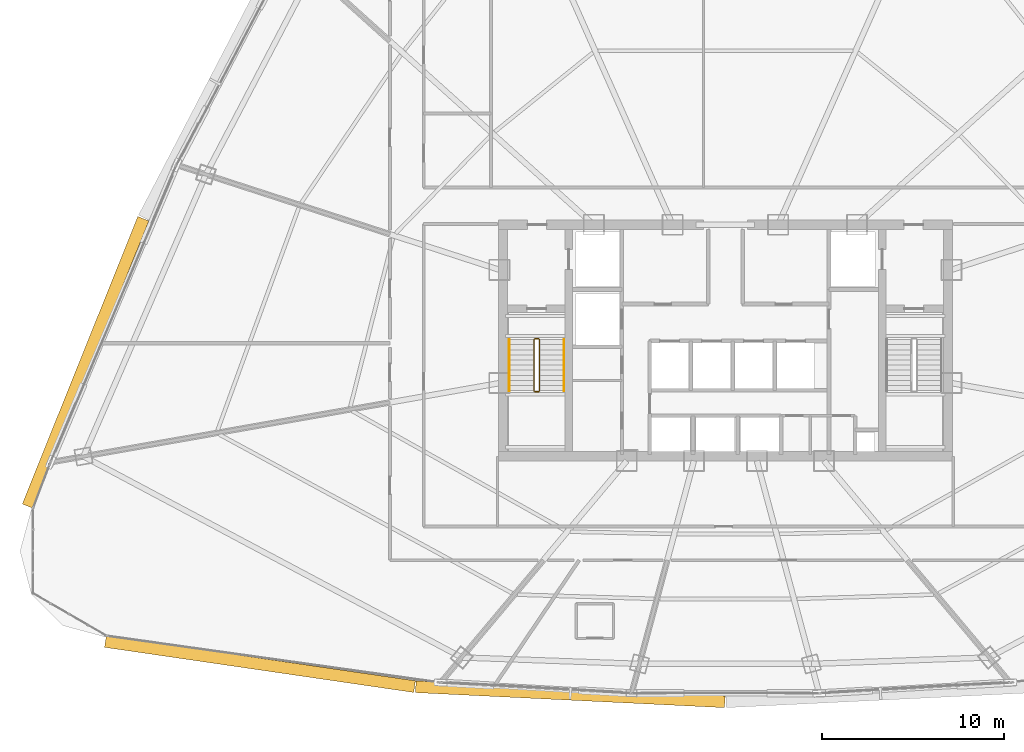
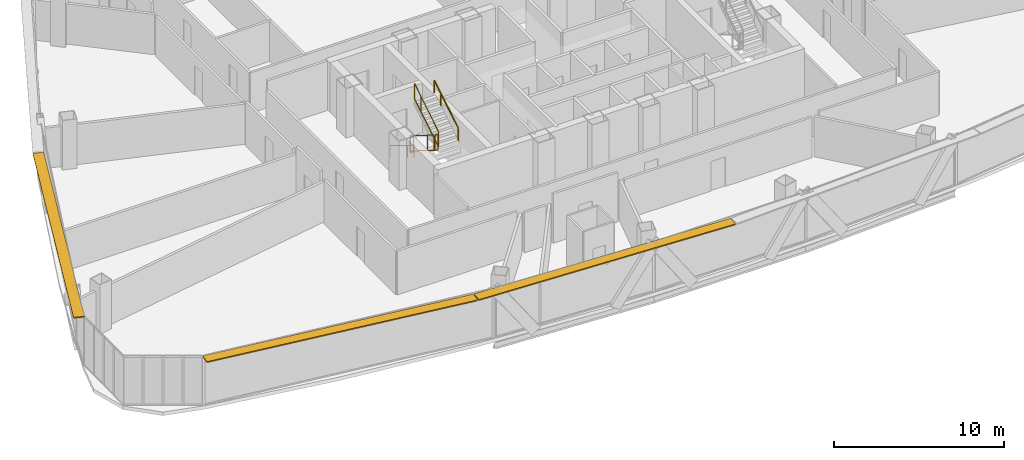
# One storey, part 35 of 38: 6 railings, 3 shading devices.
"""IFC4 building model written with IfcOpenShell, lengths in metres."""

from ifc_helpers import new_model, si_unit, direction, frame, origin, origin_2d, place, context, subcontext, project, spatial, rectangle, extrude, source, transform, mapped, material, layer, layer_set, type_object, element, save


model = new_model("IFC4")

# Units and contexts
model_context = context("Model", 3, precision=1e-05, world=origin(), true_north=direction((0.0, 1.0)))
body_context = subcontext(model_context, "Body", "Model", "MODEL_VIEW")
ifc_project = project(units=[si_unit("LENGTHUNIT", "METRE"), si_unit("AREAUNIT", "SQUARE_METRE"), si_unit("VOLUMEUNIT", "CUBIC_METRE"), si_unit("PLANEANGLEUNIT", "RADIAN"), si_unit("MASSUNIT", "GRAM", prefix="KILO"), si_unit("THERMODYNAMICTEMPERATUREUNIT", "KELVIN"), si_unit("POWERUNIT", "WATT")], contexts=[model_context])

# Site, building, storey
site_placement = place(None, origin())
site = spatial("IfcSite", under=ifc_project, at=site_placement, CompositionType="ELEMENT")
building_placement = place(site_placement, origin())
building = spatial("IfcBuilding", under=site, at=building_placement, Name="Yunzhuo Pagoda Commons", CompositionType="ELEMENT")
storey_placement = place(building_placement, frame((0.0, 0.0, 203.760009765625)))
storey = spatial("IfcBuildingStorey", under=building, at=storey_placement, Name="L51", CompositionType="ELEMENT", Elevation=203.760009765625)

# Railings
ifc_material = material(Name="Anodized aluminium 6063-T6", Category="aluminium")
railing_type_1 = type_object("IfcRailingType", Name="GR-ST1 Stair Well Guardrail 1150", PredefinedType="GUARDRAIL", material=ifc_material)
railing_1_placement = place(storey_placement, frame((37.5, 33.89990234375, 0.172607421875)))
element("IfcRailing", 1, at=railing_1_placement, inside=storey, type_object=railing_type_1, Name="L51 ST1 stair guard 1", PredefinedType="GUARDRAIL", context=body_context, shape_type="SweptSolid", body=[
    extrude(rectangle(XDim=0.048095703125, YDim=0.048095703125, at=origin_2d()), frame((0.0, 0.0, 1.1259765625), z_axis=(0.0, -0.851069175582, 0.525053576669), x_axis=(1.0, 0.0, 0.0)), (0.0, 0.0, 1.0), 3.289794921875),
    extrude(rectangle(XDim=0.048095703125, YDim=0.048095703125, at=origin_2d()), frame((0.0, 0.0, 0.02392578125), z_axis=(0.0, -0.851069175582, 0.525053576669), x_axis=(1.0, 0.0, 0.0)), (0.0, 0.0, 1.0), 3.289794921875),
    extrude(rectangle(XDim=0.0419921875, YDim=0.0419921875, at=origin_2d()), origin(), (0.0, 0.0, 1.0), 1.101806640625),
    extrude(rectangle(XDim=0.0419921875, YDim=0.0419921875, at=origin_2d()), frame((0.0, -2.04248046875, 1.260009765625)), (0.0, 0.0, 1.0), 1.101806640625),
    extrude(rectangle(XDim=0.0419921875, YDim=0.0419921875, at=origin_2d()), frame((0.0, -2.7998046875, 1.727294921875)), (0.0, 0.0, 1.0), 1.101806640625),
])
railing_2_placement = place(storey_placement, frame((37.550048828125, 31.050048828125, 1.89990234375)))
element("IfcRailing", 2, at=railing_2_placement, inside=storey, type_object=railing_type_1, Name="L51 ST1 stair guard 2", PredefinedType="GUARDRAIL", context=body_context, shape_type="SweptSolid", body=[
    extrude(rectangle(XDim=0.048095703125, YDim=0.048095703125, at=origin_2d()), frame((0.0, 0.0, 1.1259765625), z_axis=(1.0, 0.0, 0.0), x_axis=(0.0, 1.0, 0.0)), (0.0, 0.0, 1.0), 0.199951171875),
    extrude(rectangle(XDim=0.048095703125, YDim=0.048095703125, at=origin_2d()), frame((0.0, 0.0, 0.02392578125), z_axis=(1.0, 0.0, 0.0), x_axis=(0.0, 1.0, 0.0)), (0.0, 0.0, 1.0), 0.199951171875),
    extrude(rectangle(XDim=0.0419921875, YDim=0.0419921875, at=origin_2d()), origin(), (0.0, 0.0, 1.0), 1.101806640625),
    extrude(rectangle(XDim=0.0419921875, YDim=0.0419921875, at=origin_2d()), frame((0.199951171875, 0.0, 0.0)), (0.0, 0.0, 1.0), 1.101806640625),
])
railing_3_placement = place(storey_placement, frame((37.800048828125, 31.10009765625, 2.07275390625)))
element("IfcRailing", 3, at=railing_3_placement, inside=storey, type_object=railing_type_1, Name="L51 ST1 stair guard 3", PredefinedType="GUARDRAIL", context=body_context, shape_type="SweptSolid", body=[
    extrude(rectangle(XDim=0.048095703125, YDim=0.048095703125, at=origin_2d()), frame((0.0, 0.0, 1.1259765625), z_axis=(0.0, 0.851069175582, 0.525053576669), x_axis=(-1.0, 0.0, 0.0)), (0.0, 0.0, 1.0), 3.289794921875),
    extrude(rectangle(XDim=0.048095703125, YDim=0.048095703125, at=origin_2d()), frame((0.0, 0.0, 0.02392578125), z_axis=(0.0, 0.851069175582, 0.525053576669), x_axis=(-1.0, 0.0, 0.0)), (0.0, 0.0, 1.0), 3.289794921875),
    extrude(rectangle(XDim=0.0419921875, YDim=0.0419921875, at=origin_2d()), origin(), (0.0, 0.0, 1.0), 1.101806640625),
    extrude(rectangle(XDim=0.0419921875, YDim=0.0419921875, at=origin_2d()), frame((0.0, 2.04248046875, 1.260009765625)), (0.0, 0.0, 1.0), 1.101806640625),
    extrude(rectangle(XDim=0.0419921875, YDim=0.0419921875, at=origin_2d()), frame((0.0, 2.7998046875, 1.727294921875)), (0.0, 0.0, 1.0), 1.101806640625),
])
railing_4_placement = place(storey_placement, frame((37.550048828125, 33.949951171875, 0.0)))
element("IfcRailing", 4, at=railing_4_placement, inside=storey, type_object=railing_type_1, Name="L51 ST1 stair guard 4", PredefinedType="GUARDRAIL", context=body_context, shape_type="SweptSolid", body=[
    extrude(rectangle(XDim=0.048095703125, YDim=0.048095703125, at=origin_2d()), frame((0.0, 0.0, 1.1259765625), z_axis=(1.0, 0.0, 0.0), x_axis=(0.0, 1.0, 0.0)), (0.0, 0.0, 1.0), 0.199951171875),
    extrude(rectangle(XDim=0.048095703125, YDim=0.048095703125, at=origin_2d()), frame((0.0, 0.0, 0.02392578125), z_axis=(1.0, 0.0, 0.0), x_axis=(0.0, 1.0, 0.0)), (0.0, 0.0, 1.0), 0.199951171875),
    extrude(rectangle(XDim=0.0419921875, YDim=0.0419921875, at=origin_2d()), origin(), (0.0, 0.0, 1.0), 1.101806640625),
    extrude(rectangle(XDim=0.0419921875, YDim=0.0419921875, at=origin_2d()), frame((0.199951171875, 0.0, 0.0)), (0.0, 0.0, 1.0), 1.101806640625),
])
railing_type_2 = type_object("IfcRailingType", Name="HR-ST1 Stair Handrail 900", PredefinedType="HANDRAIL", material=ifc_material)
railing_5_placement = place(storey_placement, frame((36.14990234375, 33.89990234375, 0.172607421875)))
element("IfcRailing", 5, at=railing_5_placement, inside=storey, type_object=railing_type_2, Name="L51 ST1 stair handrail 1", PredefinedType="HANDRAIL", context=body_context, shape_type="SweptSolid", body=[
    extrude(rectangle(XDim=0.048095703125, YDim=0.048095703125, at=origin_2d()), frame((0.0, 0.0, 0.8759765625), z_axis=(0.0, -0.851069175582, 0.525053576669), x_axis=(1.0, 0.0, 0.0)), (0.0, 0.0, 1.0), 3.289794921875),
    extrude(rectangle(XDim=0.0419921875, YDim=0.0419921875, at=origin_2d()), origin(), (0.0, 0.0, 1.0), 0.851806640625),
    extrude(rectangle(XDim=0.0419921875, YDim=0.0419921875, at=origin_2d()), frame((0.0, -2.04248046875, 1.260009765625)), (0.0, 0.0, 1.0), 0.851806640625),
    extrude(rectangle(XDim=0.0419921875, YDim=0.0419921875, at=origin_2d()), frame((0.0, -2.7998046875, 1.727294921875)), (0.0, 0.0, 1.0), 0.851806640625),
])
railing_6_placement = place(storey_placement, frame((39.14990234375, 31.10009765625, 2.07275390625)))
element("IfcRailing", 6, at=railing_6_placement, inside=storey, type_object=railing_type_2, Name="L51 ST1 stair handrail 2", PredefinedType="HANDRAIL", context=body_context, shape_type="SweptSolid", body=[
    extrude(rectangle(XDim=0.048095703125, YDim=0.048095703125, at=origin_2d()), frame((0.0, 0.0, 0.8759765625), z_axis=(0.0, 0.851069175582, 0.525053576669), x_axis=(-1.0, 0.0, 0.0)), (0.0, 0.0, 1.0), 3.289794921875),
    extrude(rectangle(XDim=0.0419921875, YDim=0.0419921875, at=origin_2d()), origin(), (0.0, 0.0, 1.0), 0.851806640625),
    extrude(rectangle(XDim=0.0419921875, YDim=0.0419921875, at=origin_2d()), frame((0.0, 2.04248046875, 1.260009765625)), (0.0, 0.0, 1.0), 0.851806640625),
    extrude(rectangle(XDim=0.0419921875, YDim=0.0419921875, at=origin_2d()), frame((0.0, 2.7998046875, 1.727294921875)), (0.0, 0.0, 1.0), 0.851806640625),
])

# Shading devices
ifc_layer = layer(ifc_material, 0.080078125)
ifc_layer_set = layer_set([ifc_layer], Name="Anodized aluminium 6063-T6")
shading_device_type = type_object("IfcShadingDeviceType", Name="SH-SUN1 Pagoda Horizontal Sunshade Eave 650", PredefinedType="USERDEFINED", material=ifc_layer_set)
shared_shape_1 = source(origin(), body_context, "Body", "SweptSolid", [
    extrude(rectangle(XDim=17.13525390625, YDim=0.64990234375, at=origin_2d()), origin(), (0.0, 0.0, 1.0), 0.080078125),
])
shading_device_1_placement = place(storey_placement, frame((22.472412109375, 16.1044921875, 3.4599609375), z_axis=(0.0, 0.0, 1.0), x_axis=(0.989510666697, -0.144459823108, 0.0)))
element("IfcShadingDevice", 7, at=shading_device_1_placement, inside=storey, type_object=shading_device_type, Name="L51 horizontal pagoda sunshade eave F1.1", ObjectType="SUNSHADE", PredefinedType="USERDEFINED", context=body_context, shape_type="MappedRepresentation", body=[
    mapped(shared_shape_1, transform((0.0, 0.0, 0.0), scale=1.0)),
])
shared_shape_2 = source(origin(), body_context, "Body", "SweptSolid", [
    extrude(rectangle(XDim=16.975341796875, YDim=0.64990234375, at=origin_2d()), origin(), (0.0, 0.0, 1.0), 0.080078125),
])
shading_device_2_placement = place(storey_placement, frame((39.49072265625, 14.4482421875, 3.4599609375), z_axis=(0.0, 0.0, 1.0), x_axis=(0.998818043775, -0.04860571396, 0.0)))
element("IfcShadingDevice", 8, at=shading_device_2_placement, inside=storey, type_object=shading_device_type, Name="L51 horizontal pagoda sunshade eave F1.2", ObjectType="SUNSHADE", PredefinedType="USERDEFINED", context=body_context, shape_type="MappedRepresentation", body=[
    mapped(shared_shape_2, transform((0.0, 0.0, 0.0), scale=1.0)),
])
shared_shape_3 = source(origin(), body_context, "Body", "SweptSolid", [
    extrude(rectangle(XDim=16.99755859375, YDim=0.64990234375, at=origin_2d()), origin(), (0.0, 0.0, 1.0), 0.080078125),
])
shading_device_3_placement = place(storey_placement, frame((12.904541015625, 32.646728515625, 3.4599609375), z_axis=(0.0, 0.0, 1.0), x_axis=(-0.372987782576, -0.927836253899, 0.0)))
element("IfcShadingDevice", 9, at=shading_device_3_placement, inside=storey, type_object=shading_device_type, Name="L51 horizontal pagoda sunshade eave F3.4", ObjectType="SUNSHADE", PredefinedType="USERDEFINED", context=body_context, shape_type="MappedRepresentation", body=[
    mapped(shared_shape_3, transform((0.0, 0.0, 0.0), scale=1.0)),
])

save(model, "model.ifc")
